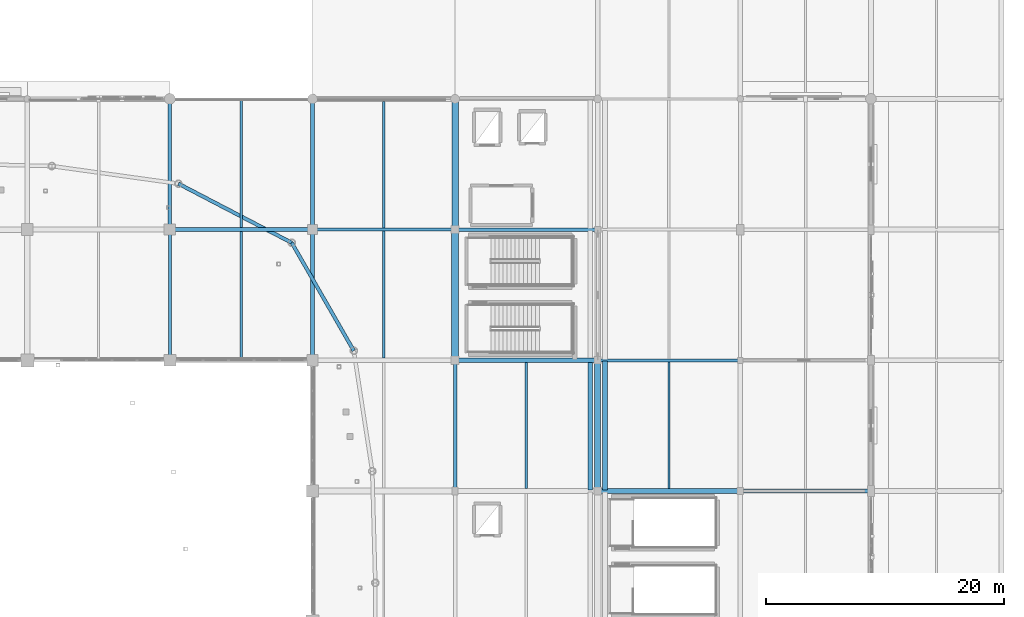
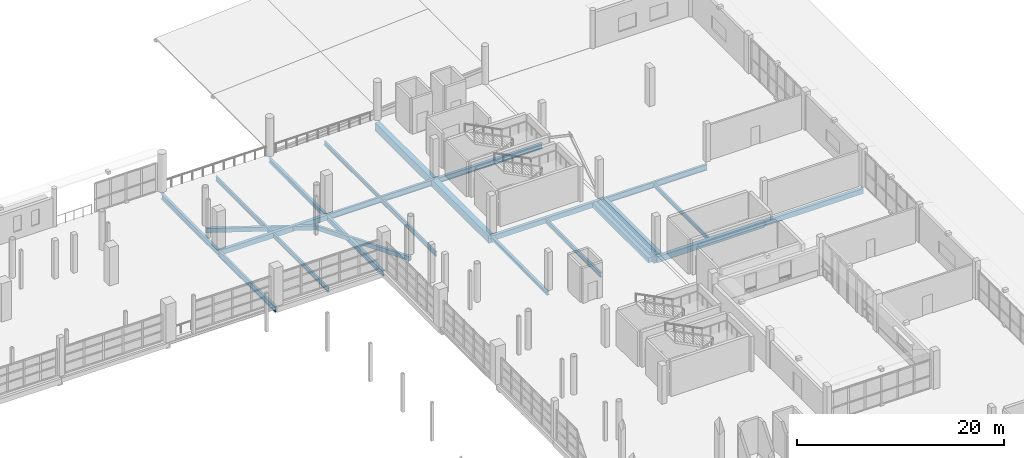
# One storey, part 60 of 118: 25 beams.
"""IFC4 building model written with IfcOpenShell, lengths in metres."""

import ifcopenshell
import ifcopenshell.guid

model = None  # the IFC model being written
_history = None  # IfcOwnerHistory: only IFC2X3 demands one
_inside = {}  # id of a spatial element -> (the spatial element, [elements in it])
_under = {}  # id of a project, library or spatial element -> (it, [spatial elements below it])
_declared = {}  # id of a project -> (the project, [libraries it declares])
_typed = {}  # id of a type object -> (the type object, [elements of that type])
_made_of = {}  # id of a material, layer set ... -> (it, [elements and type objects made of it])


def new_model(schema):
    """Start an empty IFC model of exactly this schema.

    Asked for "IFC4X3", IfcOpenShell would pick the latest addendum, in which some entities
    have other attributes; the version numbers below select the first issue.
    IFC2X3 requires an IfcOwnerHistory on every rooted entity: one is made here for all.
    """
    global model, _history
    if schema == "IFC4X3":
        model = ifcopenshell.file(schema_version=(4, 3, 0, 0))
    else:
        model = ifcopenshell.file(schema=schema)
    _inside.clear()
    _under.clear()
    _declared.clear()
    _typed.clear()
    _made_of.clear()
    _history = None
    if model.schema == "IFC2X3":
        org = make("IfcOrganization", Name="unknown")
        user = make(
            "IfcPersonAndOrganization",
            ThePerson=make("IfcPerson", FamilyName="unknown"),
            TheOrganization=org,
        )
        app = make(
            "IfcApplication",
            ApplicationDeveloper=org,
            Version="unknown",
            ApplicationFullName="unknown",
            ApplicationIdentifier="unknown",
        )
        _history = make(
            "IfcOwnerHistory",
            OwningUser=user,
            OwningApplication=app,
            ChangeAction="ADDED",
            CreationDate=0,
        )
    return model


def make(cls, **values):
    """One entity of the class cls with the attributes given. An attribute that is None is left unset."""
    return model.create_entity(
        cls, **{name: value for name, value in values.items() if value is not None}
    )


def rooted(cls, **values):
    """An entity with a GlobalId (a new one), such as an element, a storey or a relation."""
    return make(cls, GlobalId=ifcopenshell.guid.new(), OwnerHistory=_history, **values)


def si_unit(unit_type, name, prefix=None):
    """IfcSIUnit, for example si_unit("LENGTHUNIT", "METRE", prefix="MILLI")."""
    return make("IfcSIUnit", UnitType=unit_type, Prefix=prefix, Name=name)


def assignment(units):
    """IfcUnitAssignment: the units of a project."""
    return None if units is None else make("IfcUnitAssignment", Units=units)


def point(xyz):
    """IfcCartesianPoint."""
    return None if xyz is None else make("IfcCartesianPoint", Coordinates=xyz)


def direction(xyz):
    """IfcDirection."""
    return None if xyz is None else make("IfcDirection", DirectionRatios=xyz)


def frame(location, z_axis=None, x_axis=None):
    """IfcAxis2Placement3D, a coordinate frame: its origin and axes. An axis left out is left unset."""
    return make(
        "IfcAxis2Placement3D",
        Location=point(location),
        Axis=direction(z_axis),
        RefDirection=direction(x_axis),
    )


def frame_2d(location, x_axis=None):
    """IfcAxis2Placement2D, a coordinate frame in the plane: its origin and x axis."""
    return make(
        "IfcAxis2Placement2D", Location=point(location), RefDirection=direction(x_axis)
    )


def origin():
    """The frame at (0, 0, 0) with its axes left unset."""
    return frame((0.0, 0.0, 0.0))


def origin_2d():
    """The frame at (0, 0) in the plane with its x axis left unset."""
    return frame_2d((0.0, 0.0))


def place(relative_to, where):
    """IfcLocalPlacement: puts the frame where relative to a parent placement (None: the world)."""
    return make(
        "IfcLocalPlacement", PlacementRelTo=relative_to, RelativePlacement=where
    )


def context(
    kind, dimensions, precision=None, world=None, true_north=None, identifier=None
):
    """IfcGeometricRepresentationContext, for example the 3D "Model" context."""
    return make(
        "IfcGeometricRepresentationContext",
        ContextIdentifier=identifier,
        ContextType=kind,
        CoordinateSpaceDimension=dimensions,
        Precision=precision,
        WorldCoordinateSystem=world,
        TrueNorth=true_north,
    )


def subcontext(parent, identifier, kind, view, scale=None):
    """IfcGeometricRepresentationSubContext, for example "Body" below "Model"."""
    return make(
        "IfcGeometricRepresentationSubContext",
        ContextIdentifier=identifier,
        ContextType=kind,
        ParentContext=parent,
        TargetScale=scale,
        TargetView=view,
    )


def project(units=None, contexts=None):
    """IfcProject with its units and contexts."""
    return rooted(
        "IfcProject",
        Name="project",
        RepresentationContexts=contexts,
        UnitsInContext=assignment(units),
    )


def spatial(cls, under=None, at=None, **own):
    """A site, building, storey or space (cls), placed at a placement, below another one or the project."""
    s = rooted(cls, ObjectPlacement=at, **own)
    if under is not None:
        _under.setdefault(under.id(), (under, []))[1].append(s)
    return s


def profile(cls, at=None, kind="AREA", **sizes):
    """A parametric profile (cls). Its sizes go by their IFC names, for example OverallWidth=200.0."""
    return make(cls, ProfileType=kind, Position=at, **sizes)


def rectangle(**sizes):
    """IfcRectangleProfileDef."""
    return profile("IfcRectangleProfileDef", **sizes)


def hollow_rectangle(**sizes):
    """IfcRectangleHollowProfileDef."""
    return profile("IfcRectangleHollowProfileDef", **sizes)


def i_section(**sizes):
    """IfcIShapeProfileDef."""
    return profile("IfcIShapeProfileDef", **sizes)


def extrude(swept, where, along, depth):
    """IfcExtrudedAreaSolid: the profile swept, set in the frame where, extruded along a direction by depth."""
    return make(
        "IfcExtrudedAreaSolid",
        SweptArea=swept,
        Position=where,
        ExtrudedDirection=direction(along),
        Depth=depth,
    )


def shape(context_of_items, identifier, shape_type, items):
    """IfcShapeRepresentation: the items that make up one representation, for example the "Body"."""
    return make(
        "IfcShapeRepresentation",
        ContextOfItems=context_of_items,
        RepresentationIdentifier=identifier,
        RepresentationType=shape_type,
        Items=items,
    )


def material(Name=None, Category=None):
    """IfcMaterial."""
    return make("IfcMaterial", Name=Name, Category=Category)


def material_profile(
    of_material, cross_section, Name=None, Category=None, Priority=None
):
    """IfcMaterialProfile: a cross section and its material."""
    return make(
        "IfcMaterialProfile",
        Name=Name,
        Material=of_material,
        Profile=cross_section,
        Priority=Priority,
        Category=Category,
    )


def profile_set(profiles, Name=None, composite=None):
    """IfcMaterialProfileSet."""
    return make(
        "IfcMaterialProfileSet",
        Name=Name,
        MaterialProfiles=profiles,
        CompositeProfile=composite,
    )


def made_of(thing, what):
    """Note that an element or type object is made of a material, layer set ...; save() writes the relation."""
    if what is not None:
        _made_of.setdefault(what.id(), (what, []))[1].append(thing)
    return thing


def type_object(cls, material=None, **own):
    """A type object (cls), such as IfcWallType, which elements share."""
    return made_of(rooted(cls, **own), material)


def element(
    cls,
    number,
    at=None,
    inside=None,
    cuts=None,
    type_object=None,
    material=None,
    context=None,
    identifier="Body",
    shape_type=None,
    held_by="IfcProductDefinitionShape",
    body=None,
    shapes=None,
    **own,
):
    """One element of the class cls, such as IfcWall. Its Tag is "e" and its number.

    at: its placement. inside: the storey or other place that contains it. cuts: it is an
    opening in that element (IfcRelVoidsElement). A single representation is given by context,
    identifier, shape_type and body (its items); several are given by shapes. held_by: the class
    of the entity that holds the representations. save() writes the other relations.
    """
    e = rooted(cls, Tag="e%d" % number, ObjectPlacement=at, **own)
    if body is not None:
        shapes = [shape(context, identifier, shape_type, body)]
    if shapes is not None:
        e.Representation = make(held_by, Representations=shapes)
    if inside is not None:
        _inside.setdefault(inside.id(), (inside, []))[1].append(e)
    if cuts is not None:
        rooted(
            "IfcRelVoidsElement", RelatingBuildingElement=cuts, RelatedOpeningElement=e
        )
    if type_object is not None:
        _typed.setdefault(type_object.id(), (type_object, []))[1].append(e)
    return made_of(e, material)


def aggregate(whole, parts):
    """IfcRelAggregates: a whole, such as a stair, and the parts it consists of."""
    return rooted("IfcRelAggregates", RelatingObject=whole, RelatedObjects=parts)


def save(model, path):
    """Write the relations noted so far, then the file.

    IfcRelAggregates (storeys below a building ...), IfcRelContainedInSpatialStructure (elements
    in a storey), IfcRelDefinesByType, IfcRelAssociatesMaterial and IfcRelDeclares: one each for
    every whole, place, type object, material and project.
    """
    for whole, parts in _under.values():
        aggregate(whole, parts)
    for where, things in _inside.values():
        rooted(
            "IfcRelContainedInSpatialStructure",
            RelatedElements=things,
            RelatingStructure=where,
        )
    for kind, things in _typed.values():
        rooted("IfcRelDefinesByType", RelatedObjects=things, RelatingType=kind)
    for what, things in _made_of.values():
        rooted("IfcRelAssociatesMaterial", RelatedObjects=things, RelatingMaterial=what)
    for by, libraries in _declared.values():
        rooted("IfcRelDeclares", RelatingContext=by, RelatedDefinitions=libraries)
    model.write(path)


model = new_model("IFC4")

# Units and contexts
model_context = context("Model", 3, precision=1e-05, world=origin(), true_north=direction((0.0, 1.0)))
body_context = subcontext(model_context, "Body", "Model", "MODEL_VIEW")
ifc_project = project(units=[si_unit("LENGTHUNIT", "METRE"), si_unit("AREAUNIT", "SQUARE_METRE"), si_unit("VOLUMEUNIT", "CUBIC_METRE"), si_unit("PLANEANGLEUNIT", "RADIAN"), si_unit("MASSUNIT", "GRAM", prefix="KILO")], contexts=[model_context])

# Site, building, storey
site_placement = place(None, origin())
site = spatial("IfcSite", under=ifc_project, at=site_placement, CompositionType="ELEMENT")
building_placement = place(site_placement, origin())
building = spatial("IfcBuilding", under=site, at=building_placement, Name="Luwafu Chhajja Arena", CompositionType="ELEMENT")
storey_placement = place(building_placement, frame((0.0, 0.0, 10.199951171875)))
storey = spatial("IfcBuildingStorey", under=building, at=storey_placement, Name="L02", CompositionType="ELEMENT", Elevation=10.199951171875)

# Beams
ifc_material_1 = material(Name="Concrete C35/45", Category="concrete")
ifc_material_profile_1 = material_profile(ifc_material_1, rectangle(XDim=0.35009765625, YDim=0.60009765625, at=origin_2d()), Name="RC 350x600")
ifc_profile_set_1 = profile_set([ifc_material_profile_1], Name="Concrete C35/45")
beam_type_1 = type_object("IfcBeamType", Name="Arcade Tie Beam RC 350x600", PredefinedType="BEAM", material=ifc_profile_set_1)
for number, where, z_axis, x_axis, name in (
    (1, (128.0, 88.0, -0.68994140625), (1.0, 0.0, 0.0), (0.0, 1.0, 0.0), "L02 Grid Beam 12-13/J"),
    (2, (152.0, 77.0, -0.68994140625), (1.0, 0.0, 0.0), (0.0, 1.0, 0.0), "L02 Grid Beam 14-15/H"),
):
    element("IfcBeam", number, at=place(storey_placement, frame(where, z_axis=z_axis, x_axis=x_axis)), inside=storey, type_object=beam_type_1, Name=name, PredefinedType="BEAM", context=body_context, shape_type="SweptSolid", body=[
        extrude(rectangle(XDim=0.35009765625, YDim=0.60009765625, at=origin_2d()), origin(), (0.0, 0.0, 1.0), 12.0),
    ])
beam_1_placement = place(storey_placement, frame((176.0, 66.0, -0.68994140625), z_axis=(1.0, 0.0, 0.0), x_axis=(0.0, 1.0, 0.0)))
element("IfcBeam", 3, at=beam_1_placement, inside=storey, type_object=beam_type_1, Name="L02 Grid Beam 16-17/G", PredefinedType="BEAM", context=body_context, shape_type="SweptSolid", body=[
    extrude(rectangle(XDim=0.35009765625, YDim=0.60009765625, at=origin_2d()), origin(), (0.0, 0.0, 1.0), 11.0),
])
ifc_material_profile_2 = material_profile(ifc_material_1, rectangle(XDim=0.60009765625, YDim=0.89990234375, at=origin_2d()), Name="RC 600x900")
ifc_profile_set_2 = profile_set([ifc_material_profile_2], Name="Concrete C35/45")
beam_type_2 = type_object("IfcBeamType", Name="Concourse Primary Girder RC 600x900", PredefinedType="BEAM", material=ifc_profile_set_2)
beam_2_placement = place(storey_placement, frame((152.0, 77.0, -0.83984375), z_axis=(0.0, 1.0, 0.0), x_axis=(-1.0, 0.0, 0.0)))
element("IfcBeam", 4, at=beam_2_placement, inside=storey, type_object=beam_type_2, Name="L02 Grid Beam 14/H-J", PredefinedType="BEAM", context=body_context, shape_type="SweptSolid", body=[
    extrude(rectangle(XDim=0.60009765625, YDim=0.89990234375, at=origin_2d()), origin(), (0.0, 0.0, 1.0), 11.0),
])
ifc_material_profile_3 = material_profile(ifc_material_1, rectangle(XDim=0.550048828125, YDim=0.949951171875, at=origin_2d()), Name="RC 550x950")
ifc_profile_set_3 = profile_set([ifc_material_profile_3], Name="Concrete C35/45")
beam_type_3 = type_object("IfcBeamType", Name="Concourse Radial Girder RC 550x950", PredefinedType="BEAM", material=ifc_profile_set_3)
beam_3_placement = place(storey_placement, frame((152.0, 88.0, -0.864990234375), z_axis=(0.0, 1.0, 0.0), x_axis=(-1.0, 0.0, 0.0)))
element("IfcBeam", 5, at=beam_3_placement, inside=storey, type_object=beam_type_3, Name="L02 Grid Beam 14/J-K", PredefinedType="BEAM", context=body_context, shape_type="SweptSolid", body=[
    extrude(rectangle(XDim=0.550048828125, YDim=0.949951171875, at=origin_2d()), origin(), (0.0, 0.0, 1.0), 11.0),
])
ifc_material_2 = material(Name="Steel S355", Category="steel")
ifc_material_profile_4 = material_profile(ifc_material_2, i_section(OverallWidth=0.19140625, OverallDepth=0.4599609375, WebThickness=0.010009765625, FlangeThickness=0.01611328125, at=origin_2d()), Name="UB 457x191x82")
ifc_profile_set_4 = profile_set([ifc_material_profile_4], Name="Steel S355")
beam_type_4 = type_object("IfcBeamType", Name="Floor Joist UB 457x191x82", PredefinedType="JOIST", material=ifc_profile_set_4)
for number, where, z_axis, x_axis, name in (
    (6, (146.0, 88.126953125, -0.619873046875), (0.0, 1.0, 0.0), (-1.0, 0.0, 0.0), "L02 Secondary Joist 13-14/J"),
    (7, (170.0, 66.199951171875, -0.619873046875), (0.0, 1.0, 0.0), (-1.0, 0.0, 0.0), "L02 Secondary Joist 15-16/G"),
):
    element("IfcBeam", number, at=place(storey_placement, frame(where, z_axis=z_axis, x_axis=x_axis)), inside=storey, type_object=beam_type_4, Name=name, PredefinedType="JOIST", context=body_context, shape_type="SweptSolid", body=[
        extrude(i_section(OverallWidth=0.19140625, OverallDepth=0.4599609375, WebThickness=0.010009765625, FlangeThickness=0.01611328125, at=origin_2d()), origin(), (0.0, 0.0, 1.0), 10.673095703125),
    ])
ifc_material_profile_5 = material_profile(ifc_material_2, i_section(OverallWidth=0.2099609375, OverallDepth=0.53662109375, WebThickness=0.0107421875, FlangeThickness=0.017333984375, at=origin_2d()), Name="UB 533x210x101")
ifc_profile_set_5 = profile_set([ifc_material_profile_5], Name="Steel S355")
beam_type_5 = type_object("IfcBeamType", Name="Floor Joist UB 533x210x101", PredefinedType="JOIST", material=ifc_profile_set_5)
beam_4_placement = place(storey_placement, frame((134.0, 77.199951171875, -0.658203125), z_axis=(0.0, 1.0, 0.0), x_axis=(-1.0, 0.0, 0.0)))
element("IfcBeam", 8, at=beam_4_placement, inside=storey, type_object=beam_type_5, Name="L02 Secondary Joist 12-13/H", PredefinedType="JOIST", context=body_context, shape_type="SweptSolid", body=[
    extrude(i_section(OverallWidth=0.2099609375, OverallDepth=0.53662109375, WebThickness=0.0107421875, FlangeThickness=0.017333984375, at=origin_2d()), origin(), (0.0, 0.0, 1.0), 10.625),
])
ifc_material_profile_6 = material_profile(ifc_material_2, i_section(OverallWidth=0.209228515625, OverallDepth=0.533203125, WebThickness=0.010009765625, FlangeThickness=0.015625, at=origin_2d()), Name="UB 533x210x92")
ifc_profile_set_6 = profile_set([ifc_material_profile_6], Name="Steel S355")
beam_type_6 = type_object("IfcBeamType", Name="Floor Joist UB 533x210x92", PredefinedType="JOIST", material=ifc_profile_set_6)
beam_5_placement = place(storey_placement, frame((134.0, 88.175048828125, -0.656494140625), z_axis=(0.0, 1.0, 0.0), x_axis=(-1.0, 0.0, 0.0)))
element("IfcBeam", 9, at=beam_5_placement, inside=storey, type_object=beam_type_6, Name="L02 Secondary Joist 12-13/J", PredefinedType="JOIST", context=body_context, shape_type="SweptSolid", body=[
    extrude(i_section(OverallWidth=0.209228515625, OverallDepth=0.533203125, WebThickness=0.010009765625, FlangeThickness=0.015625, at=origin_2d()), origin(), (0.0, 0.0, 1.0), 10.7421875),
])
beam_6_placement = place(storey_placement, frame((146.0, 77.199951171875, -0.656494140625), z_axis=(0.0, 1.0, 0.0), x_axis=(-1.0, 0.0, 0.0)))
element("IfcBeam", 10, at=beam_6_placement, inside=storey, type_object=beam_type_6, Name="L02 Secondary Joist 13-14/H", PredefinedType="JOIST", context=body_context, shape_type="SweptSolid", body=[
    extrude(i_section(OverallWidth=0.209228515625, OverallDepth=0.533203125, WebThickness=0.010009765625, FlangeThickness=0.015625, at=origin_2d()), origin(), (0.0, 0.0, 1.0), 10.673095703125),
])
beam_7_placement = place(storey_placement, frame((158.0, 66.22509765625, -0.656494140625), z_axis=(0.0, 1.0, 0.0), x_axis=(-1.0, 0.0, 0.0)))
element("IfcBeam", 11, at=beam_7_placement, inside=storey, type_object=beam_type_6, Name="L02 Secondary Joist 14-15/G", PredefinedType="JOIST", context=body_context, shape_type="SweptSolid", body=[
    extrude(i_section(OverallWidth=0.209228515625, OverallDepth=0.533203125, WebThickness=0.010009765625, FlangeThickness=0.015625, at=origin_2d()), origin(), (0.0, 0.0, 1.0), 10.599853515625),
])
ifc_material_profile_7 = material_profile(ifc_material_1, rectangle(XDim=0.5, YDim=0.800048828125, at=origin_2d()), Name="RC 500x800")
ifc_profile_set_7 = profile_set([ifc_material_profile_7], Name="Concrete C35/45")
beam_type_7 = type_object("IfcBeamType", Name="Hospitality Primary Beam RC 500x800", PredefinedType="BEAM", material=ifc_profile_set_7)
beam_8_placement = place(storey_placement, frame((164.0, 66.0, -0.7900390625), z_axis=(0.0, 1.0, 0.0), x_axis=(-1.0, 0.0, 0.0)))
element("IfcBeam", 12, at=beam_8_placement, inside=storey, type_object=beam_type_7, Name="L02 Grid Beam 15/G-H", PredefinedType="BEAM", context=body_context, shape_type="SweptSolid", body=[
    extrude(rectangle(XDim=0.5, YDim=0.800048828125, at=origin_2d()), origin(), (0.0, 0.0, 1.0), 11.0),
])
ifc_material_profile_8 = material_profile(ifc_material_2, hollow_rectangle(XDim=0.300048828125, YDim=0.5, WallThickness=0.02001953125, at=origin_2d()), Name="RHS 500x300x20")
ifc_profile_set_8 = profile_set([ifc_material_profile_8], Name="Steel S355")
beam_type_8 = type_object("IfcBeamType", Name="Pleated Drum Spandrel Beam RHS 500x300", PredefinedType="SPANDREL", material=ifc_profile_set_8)
beam_9_placement = place(storey_placement, frame((143.47607421875, 77.805908203125, -0.639892578125), z_axis=(-0.498192671921, 0.867066353657, 0.0), x_axis=(-0.867066353657, -0.498192671921, 0.0)))
element("IfcBeam", 13, at=beam_9_placement, inside=storey, type_object=beam_type_8, Name="L02 Drum Ring Spandrel D04-D05", PredefinedType="SPANDREL", context=body_context, shape_type="SweptSolid", body=[
    extrude(hollow_rectangle(XDim=0.300048828125, YDim=0.5, WallThickness=0.02001953125, at=origin_2d()), origin(), (0.0, 0.0, 1.0), 10.477783203125),
])
beam_10_placement = place(storey_placement, frame((138.256103515625, 86.890869140625, -0.639892578125), z_axis=(-0.886755170812, 0.462239404463, 0.0), x_axis=(-0.462239404463, -0.886755170812, 0.0)))
element("IfcBeam", 14, at=beam_10_placement, inside=storey, type_object=beam_type_8, Name="L02 Drum Ring Spandrel D05-D06", PredefinedType="SPANDREL", context=body_context, shape_type="SweptSolid", body=[
    extrude(hollow_rectangle(XDim=0.300048828125, YDim=0.5, WallThickness=0.02001953125, at=origin_2d()), origin(), (0.0, 0.0, 1.0), 10.756103515625),
])
ifc_material_profile_9 = material_profile(ifc_material_1, rectangle(XDim=0.39990234375, YDim=0.60009765625, at=origin_2d()), Name="RC 400x600")
ifc_profile_set_9 = profile_set([ifc_material_profile_9], Name="Concrete C35/45")
beam_type_9 = type_object("IfcBeamType", Name="Podium Perimeter Spandrel RC 400x600", PredefinedType="SPANDREL", material=ifc_profile_set_9)
for number, where, z_axis, x_axis, name in (
    (15, (163.3798828125, 66.080078125, -0.68994140625), (0.0, 1.0, 0.0), (-1.0, 0.0, 0.0), "L02 Movement Joint MJ2W Seat Girder 06"),
    (16, (164.6201171875, 66.080078125, -0.68994140625), (0.0, 1.0, 0.0), (-1.0, 0.0, 0.0), "L02 Movement Joint MJ2E Seat Girder 06"),
):
    element("IfcBeam", number, at=place(storey_placement, frame(where, z_axis=z_axis, x_axis=x_axis)), inside=storey, type_object=beam_type_9, Name=name, PredefinedType="SPANDREL", context=body_context, shape_type="SweptSolid", body=[
        extrude(rectangle(XDim=0.39990234375, YDim=0.60009765625, at=origin_2d()), origin(), (0.0, 0.0, 1.0), 10.83984375),
    ])
ifc_material_profile_10 = material_profile(ifc_material_2, i_section(OverallWidth=0.300048828125, OverallDepth=0.5, WebThickness=0.014404296875, FlangeThickness=0.028076171875, at=origin_2d()), Name="HEB 500")
ifc_profile_set_10 = profile_set([ifc_material_profile_10], Name="Steel S355")
beam_type_10 = type_object("IfcBeamType", Name="Steel Atrium Tie Girder HEB 500", PredefinedType="BEAM", material=ifc_profile_set_10)
beam_11_placement = place(storey_placement, frame((140.0, 88.0, -0.639892578125), z_axis=(0.0, 1.0, 0.0), x_axis=(-1.0, 0.0, 0.0)))
element("IfcBeam", 17, at=beam_11_placement, inside=storey, type_object=beam_type_10, Name="L02 Grid Beam 13/J-K", PredefinedType="BEAM", context=body_context, shape_type="SweptSolid", body=[
    extrude(i_section(OverallWidth=0.300048828125, OverallDepth=0.5, WebThickness=0.014404296875, FlangeThickness=0.028076171875, at=origin_2d()), origin(), (0.0, 0.0, 1.0), 11.0),
])
ifc_material_profile_11 = material_profile(ifc_material_2, i_section(OverallWidth=0.253662109375, OverallDepth=0.68359375, WebThickness=0.012451171875, FlangeThickness=0.01904296875, at=origin_2d()), Name="UB 686x254x140")
ifc_profile_set_11 = profile_set([ifc_material_profile_11], Name="Steel S355")
beam_type_11 = type_object("IfcBeamType", Name="Steel Concourse Girder UB 686x254x140", PredefinedType="BEAM", material=ifc_profile_set_11)
for number, where, z_axis, x_axis, name in (
    (18, (140.0, 88.0, -0.731689453125), (1.0, 0.0, 0.0), (0.0, 1.0, 0.0), "L02 Grid Beam 13-14/J"),
    (19, (164.0, 77.0, -0.731689453125), (1.0, 0.0, 0.0), (0.0, 1.0, 0.0), "L02 Grid Beam 15-16/H"),
):
    element("IfcBeam", number, at=place(storey_placement, frame(where, z_axis=z_axis, x_axis=x_axis)), inside=storey, type_object=beam_type_11, Name=name, PredefinedType="BEAM", context=body_context, shape_type="SweptSolid", body=[
        extrude(i_section(OverallWidth=0.253662109375, OverallDepth=0.68359375, WebThickness=0.012451171875, FlangeThickness=0.01904296875, at=origin_2d()), origin(), (0.0, 0.0, 1.0), 12.0),
    ])
beam_12_placement = place(storey_placement, frame((128.0, 77.0, -0.731689453125), z_axis=(0.0, 1.0, 0.0), x_axis=(-1.0, 0.0, 0.0)))
element("IfcBeam", 20, at=beam_12_placement, inside=storey, type_object=beam_type_11, Name="L02 Grid Beam 12/H-J", PredefinedType="BEAM", context=body_context, shape_type="SweptSolid", body=[
    extrude(i_section(OverallWidth=0.253662109375, OverallDepth=0.68359375, WebThickness=0.012451171875, FlangeThickness=0.01904296875, at=origin_2d()), origin(), (0.0, 0.0, 1.0), 11.0),
])
ifc_material_profile_12 = material_profile(ifc_material_2, i_section(OverallWidth=0.300048828125, OverallDepth=0.60009765625, WebThickness=0.015380859375, FlangeThickness=0.030029296875, at=origin_2d()), Name="HEB 600")
ifc_profile_set_12 = profile_set([ifc_material_profile_12], Name="Steel S355")
beam_type_12 = type_object("IfcBeamType", Name="Steel Gallery Girder HEB 600", PredefinedType="BEAM", material=ifc_profile_set_12)
beam_13_placement = place(storey_placement, frame((140.0, 77.0, -0.68994140625), z_axis=(0.0, 1.0, 0.0), x_axis=(-1.0, 0.0, 0.0)))
element("IfcBeam", 21, at=beam_13_placement, inside=storey, type_object=beam_type_12, Name="L02 Grid Beam 13/H-J", PredefinedType="BEAM", context=body_context, shape_type="SweptSolid", body=[
    extrude(i_section(OverallWidth=0.300048828125, OverallDepth=0.60009765625, WebThickness=0.015380859375, FlangeThickness=0.030029296875, at=origin_2d()), origin(), (0.0, 0.0, 1.0), 11.0),
])
ifc_material_profile_13 = material_profile(ifc_material_2, i_section(OverallWidth=0.30712890625, OverallDepth=0.6201171875, WebThickness=0.01416015625, FlangeThickness=0.023681640625, at=origin_2d()), Name="UB 610x305x179")
ifc_profile_set_13 = profile_set([ifc_material_profile_13], Name="Steel S355")
beam_type_13 = type_object("IfcBeamType", Name="Steel Hospitality Girder UB 610x305x179", PredefinedType="BEAM", material=ifc_profile_set_13)
beam_14_placement = place(storey_placement, frame((152.0, 88.0, -0.699951171875), z_axis=(1.0, 0.0, 0.0), x_axis=(0.0, 1.0, 0.0)))
element("IfcBeam", 22, at=beam_14_placement, inside=storey, type_object=beam_type_13, Name="L02 Grid Beam 14-15/J", PredefinedType="BEAM", context=body_context, shape_type="SweptSolid", body=[
    extrude(i_section(OverallWidth=0.30712890625, OverallDepth=0.6201171875, WebThickness=0.01416015625, FlangeThickness=0.023681640625, at=origin_2d()), origin(), (0.0, 0.0, 1.0), 12.0),
])
beam_15_placement = place(storey_placement, frame((128.0, 88.0, -0.699951171875), z_axis=(0.0, 1.0, 0.0), x_axis=(-1.0, 0.0, 0.0)))
element("IfcBeam", 23, at=beam_15_placement, inside=storey, type_object=beam_type_13, Name="L02 Grid Beam 12/J-K", PredefinedType="BEAM", context=body_context, shape_type="SweptSolid", body=[
    extrude(i_section(OverallWidth=0.30712890625, OverallDepth=0.6201171875, WebThickness=0.01416015625, FlangeThickness=0.023681640625, at=origin_2d()), origin(), (0.0, 0.0, 1.0), 11.0),
])
ifc_material_profile_14 = material_profile(ifc_material_2, i_section(OverallWidth=0.300048828125, OverallDepth=0.39990234375, WebThickness=0.013427734375, FlangeThickness=0.02392578125, at=origin_2d()), Name="HEB 400")
ifc_profile_set_14 = profile_set([ifc_material_profile_14], Name="Steel S355")
beam_type_14 = type_object("IfcBeamType", Name="Steel Rigging Grid Beam HEB 400", PredefinedType="BEAM", material=ifc_profile_set_14)
beam_16_placement = place(storey_placement, frame((152.0, 66.0, -0.58984375), z_axis=(0.0, 1.0, 0.0), x_axis=(-1.0, 0.0, 0.0)))
element("IfcBeam", 24, at=beam_16_placement, inside=storey, type_object=beam_type_14, Name="L02 Grid Beam 14/G-H", PredefinedType="BEAM", context=body_context, shape_type="SweptSolid", body=[
    extrude(i_section(OverallWidth=0.300048828125, OverallDepth=0.39990234375, WebThickness=0.013427734375, FlangeThickness=0.02392578125, at=origin_2d()), origin(), (0.0, 0.0, 1.0), 11.0),
])
ifc_material_profile_15 = material_profile(ifc_material_1, rectangle(XDim=0.39990234375, YDim=0.699951171875, at=origin_2d()), Name="RC 400x700")
ifc_profile_set_15 = profile_set([ifc_material_profile_15], Name="Concrete C35/45")
beam_type_15 = type_object("IfcBeamType", Name="Wing Frame Beam RC 400x700", PredefinedType="BEAM", material=ifc_profile_set_15)
beam_17_placement = place(storey_placement, frame((164.0, 66.0, -0.739990234375), z_axis=(1.0, 0.0, 0.0), x_axis=(0.0, 1.0, 0.0)))
element("IfcBeam", 25, at=beam_17_placement, inside=storey, type_object=beam_type_15, Name="L02 Grid Beam 15-16/G", PredefinedType="BEAM", context=body_context, shape_type="SweptSolid", body=[
    extrude(rectangle(XDim=0.39990234375, YDim=0.699951171875, at=origin_2d()), origin(), (0.0, 0.0, 1.0), 12.0),
])

save(model, "model.ifc")
